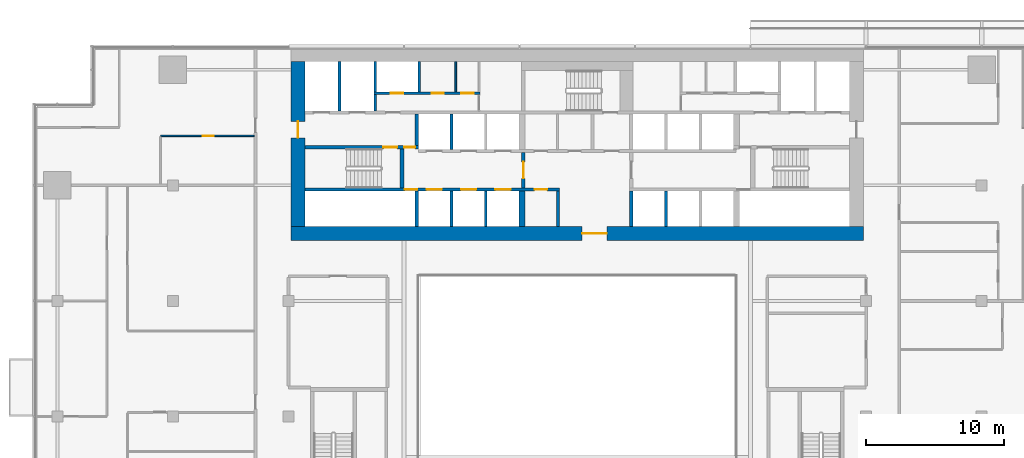
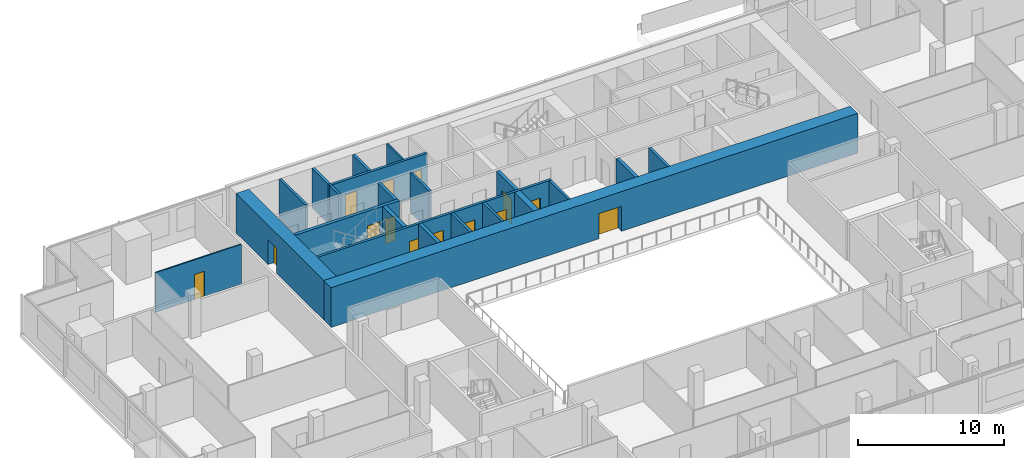
# One storey, part 20 of 29: 22 walls, 14 doors, 14 openings.
"""IFC4 building model written with IfcOpenShell, lengths in metres."""

from ifc_helpers import new_model, si_unit, direction, frame, frame_2d, origin, place, context, subcontext, project, spatial, rectangle, extrude, material, layer, layer_set, type_object, element, fill, save


model = new_model("IFC4")

# Units and contexts
model_context = context("Model", 3, precision=1e-05, world=origin(), true_north=direction((0.0, 1.0)))
body_context = subcontext(model_context, "Body", "Model", "MODEL_VIEW")
ifc_project = project(units=[si_unit("LENGTHUNIT", "METRE"), si_unit("AREAUNIT", "SQUARE_METRE"), si_unit("VOLUMEUNIT", "CUBIC_METRE"), si_unit("PLANEANGLEUNIT", "RADIAN"), si_unit("MASSUNIT", "GRAM", prefix="KILO")], contexts=[model_context])

# Site, building, storey
site_placement = place(None, origin())
site = spatial("IfcSite", under=ifc_project, at=site_placement, CompositionType="ELEMENT")
building_placement = place(site_placement, origin())
building = spatial("IfcBuilding", under=site, at=building_placement, Name="Saffron Gate Tower", CompositionType="ELEMENT")
storey_placement = place(building_placement, frame((0.0, 0.0, 116.85009765625)))
storey = spatial("IfcBuildingStorey", under=building, at=storey_placement, Name="L27", CompositionType="ELEMENT", Elevation=116.85009765625)

# Wall
ifc_material_1 = material(Name="Gypsum board partition on steel studs", Category="steel")
ifc_layer_1 = layer(ifc_material_1, 0.199951171875)
ifc_layer_set_1 = layer_set([ifc_layer_1], Name="CW10 Core partition 200")
wall_type_1 = type_object("IfcWallType", Name="CW10 Core partition 200", PredefinedType="PARTITIONING", material=ifc_layer_set_1)
wall_1_placement = place(storey_placement, frame((86.199951171875, 62.39990234375, 0.0), z_axis=(0.0, 0.0, 1.0), x_axis=(0.0, 1.0, 0.0)))
element("IfcWall", 1, at=wall_1_placement, inside=storey, type_object=wall_type_1, Name="Wall CW10-L27-9", PredefinedType="PARTITIONING", context=body_context, shape_type="SweptSolid", body=[
    extrude(rectangle(XDim=2.60009765625, YDim=0.199951171875, at=frame_2d((1.300048828125, 0.0))), origin(), (0.0, 0.0, 1.0), 3.31982421875),
])

# Wall, opening, door
ifc_material_2 = material(Name="Concrete C70", Category="concrete")
ifc_layer_2 = layer(ifc_material_2, 1.0)
ifc_layer_set_2 = layer_set([ifc_layer_2], Name="CW12 RC core wall 1000 C70")
wall_type_2 = type_object("IfcWallType", Name="CW12 RC core wall 1000 C70", PredefinedType="SOLIDWALL", material=ifc_layer_set_2)
wall_2_placement = place(storey_placement, frame((66.800048828125, 61.89990234375, 0.0), z_axis=(0.0, 0.0, 1.0), x_axis=(1.0, 0.0, 0.0)))
wall_2 = element("IfcWall", 2, at=wall_2_placement, inside=storey, type_object=wall_type_2, Name="Wall CW12-L27-1", PredefinedType="SOLIDWALL", context=body_context, shape_type="SweptSolid", body=[
    extrude(rectangle(XDim=41.599853515625, YDim=1.0, at=frame_2d((20.7998046875, 0.0))), origin(), (0.0, 0.0, 1.0), 3.31982421875),
])
opening_1_placement = place(wall_2_placement, frame((21.14990234375, 0.0, 0.0)))
opening_1 = element("IfcOpeningElement", 3, at=opening_1_placement, cuts=wall_2, Name="Opening CR-09", PredefinedType="OPENING", context=body_context, shape_type="SweptSolid", body=[
    extrude(rectangle(XDim=1.800048828125, YDim=2.10009765625, at=frame_2d((0.89990234375, 1.050048828125))), frame((0.0, 0.510009765625, 0.0), z_axis=(0.0, -1.0, 0.0), x_axis=(1.0, 0.0, 0.0)), (0.0, 0.0, 1.0), 1.02001953125),
])
ifc_material_3 = material(Name="Steel fire door set", Category="steel")
door_type_1 = type_object("IfcDoorType", Name="CD1 Core entrance door 1800x2100 EI 120", OperationType="NOTDEFINED", PredefinedType="DOOR", material=ifc_material_3)
door_1_placement = place(opening_1_placement, origin())
door_1 = element("IfcDoor", 4, at=door_1_placement, inside=storey, type_object=door_type_1, Name="DOOR CR-09", OperationType="DOUBLE_DOOR_SINGLE_SWING", OverallHeight=2.10009765625, OverallWidth=1.800048828125, PredefinedType="DOOR", context=body_context, shape_type="SweptSolid", body=[
    extrude(rectangle(XDim=1.800048828125, YDim=2.10009765625, at=frame_2d((0.89990234375, 1.050048828125))), frame((0.0, 0.02490234375, 0.0), z_axis=(0.0, -1.0, 0.0), x_axis=(1.0, 0.0, 0.0)), (0.0, 0.0, 1.0), 0.050048828125),
])
fill(opening_1, door_1)

wall_3_placement = place(storey_placement, frame((67.300048828125, 62.39990234375, 0.0), z_axis=(0.0, 0.0, 1.0), x_axis=(0.0, 1.0, 0.0)))
wall_3 = element("IfcWall", 5, at=wall_3_placement, inside=storey, type_object=wall_type_2, Name="Wall CW12-L27-3", PredefinedType="SOLIDWALL", context=body_context, shape_type="SweptSolid", body=[
    extrude(rectangle(XDim=12.0, YDim=1.0, at=frame_2d((6.0, 0.0))), origin(), (0.0, 0.0, 1.0), 3.31982421875),
])
opening_2_placement = place(wall_3_placement, frame((6.449951171875, 0.0, 0.0)))
opening_2 = element("IfcOpeningElement", 6, at=opening_2_placement, cuts=wall_3, Name="Opening CR-10", PredefinedType="OPENING", context=body_context, shape_type="SweptSolid", body=[
    extrude(rectangle(XDim=1.199951171875, YDim=2.10009765625, at=frame_2d((0.60009765625, 1.050048828125))), frame((0.0, 0.510009765625, 0.0), z_axis=(0.0, -1.0, 0.0), x_axis=(1.0, 0.0, 0.0)), (0.0, 0.0, 1.0), 1.02001953125),
])
door_type_2 = type_object("IfcDoorType", Name="CD7 Core entrance door 1200x2100 EI 120", OperationType="NOTDEFINED", PredefinedType="DOOR", material=ifc_material_3)
door_2_placement = place(opening_2_placement, origin())
door_2 = element("IfcDoor", 7, at=door_2_placement, inside=storey, type_object=door_type_2, Name="DOOR CR-10", OperationType="SINGLE_SWING_LEFT", OverallHeight=2.10009765625, OverallWidth=1.199951171875, PredefinedType="DOOR", context=body_context, shape_type="SweptSolid", body=[
    extrude(rectangle(XDim=1.199951171875, YDim=2.10009765625, at=frame_2d((0.60009765625, 1.050048828125))), frame((0.0, 0.02490234375, 0.0), z_axis=(0.0, -1.0, 0.0), x_axis=(1.0, 0.0, 0.0)), (0.0, 0.0, 1.0), 0.050048828125),
])
fill(opening_2, door_2)

# Walls
ifc_layer_3 = layer(ifc_material_2, 0.25)
ifc_layer_set_3 = layer_set([ifc_layer_3], Name="CW2 RC core wall 250 C70")
wall_type_3 = type_object("IfcWallType", Name="CW2 RC core wall 250 C70", PredefinedType="SOLIDWALL", material=ifc_layer_set_3)
for number, where, z_axis, x_axis, name in (
    (8, (75.925048828125, 62.39990234375, 0.0), (0.0, 0.0, 1.0), (0.0, 1.0, 0.0), "Wall CW2-L27-5"),
    (9, (91.52490234375, 62.39990234375, 0.0), (0.0, 0.0, 1.0), (0.0, 1.0, 0.0), "Wall CW2-L27-10"),
):
    element("IfcWall", number, at=place(storey_placement, frame(where, z_axis=z_axis, x_axis=x_axis)), inside=storey, type_object=wall_type_3, Name=name, PredefinedType="SOLIDWALL", context=body_context, shape_type="SweptSolid", body=[
        extrude(rectangle(XDim=2.60009765625, YDim=0.25, at=frame_2d((1.300048828125, 0.0))), origin(), (0.0, 0.0, 1.0), 3.31982421875),
    ])

# Wall, opening, door
wall_4_placement = place(storey_placement, frame((83.675048828125, 65.199951171875, 0.0), z_axis=(0.0, 0.0, 1.0), x_axis=(0.0, 1.0, 0.0)))
wall_4 = element("IfcWall", 10, at=wall_4_placement, inside=storey, type_object=wall_type_3, Name="Wall CW2-L27-17", PredefinedType="SOLIDWALL", context=body_context, shape_type="SweptSolid", body=[
    extrude(rectangle(XDim=2.60009765625, YDim=0.25, at=frame_2d((1.300048828125, 0.0))), origin(), (0.0, 0.0, 1.0), 3.31982421875),
])
opening_3_placement = place(wall_4_placement, frame((0.699951171875, 0.0, 0.0)))
opening_3 = element("IfcOpeningElement", 11, at=opening_3_placement, cuts=wall_4, Name="Opening CR-07", PredefinedType="OPENING", context=body_context, shape_type="SweptSolid", body=[
    extrude(rectangle(XDim=1.199951171875, YDim=2.10009765625, at=frame_2d((0.60009765625, 1.050048828125))), frame((0.0, 0.135009765625, 0.0), z_axis=(0.0, -1.0, 0.0), x_axis=(1.0, 0.0, 0.0)), (0.0, 0.0, 1.0), 0.27001953125),
])
door_type_3 = type_object("IfcDoorType", Name="CD3 Lobby door 1200x2100 EI 120", OperationType="NOTDEFINED", PredefinedType="DOOR", material=ifc_material_3)
door_3_placement = place(opening_3_placement, origin())
door_3 = element("IfcDoor", 12, at=door_3_placement, inside=storey, type_object=door_type_3, Name="DOOR CR-07", OperationType="SINGLE_SWING_RIGHT", OverallHeight=2.10009765625, OverallWidth=1.199951171875, PredefinedType="DOOR", context=body_context, shape_type="SweptSolid", body=[
    extrude(rectangle(XDim=1.199951171875, YDim=2.10009765625, at=frame_2d((0.60009765625, 1.050048828125))), frame((0.0, 0.02490234375, 0.0), z_axis=(0.0, -1.0, 0.0), x_axis=(1.0, 0.0, 0.0)), (0.0, 0.0, 1.0), 0.050048828125),
])
fill(opening_3, door_3)

# Wall, openings, doors
wall_5_placement = place(storey_placement, frame((67.800048828125, 68.175048828125, 0.0), z_axis=(0.0, 0.0, 1.0), x_axis=(1.0, 0.0, 0.0)))
wall_5 = element("IfcWall", 13, at=wall_5_placement, inside=storey, type_object=wall_type_3, Name="Wall CW2-L27-30", PredefinedType="SOLIDWALL", context=body_context, shape_type="SweptSolid", body=[
    extrude(rectangle(XDim=8.25, YDim=0.25, at=frame_2d((4.125, 0.0))), origin(), (0.0, 0.0, 1.0), 3.31982421875),
])
opening_4_placement = place(wall_5_placement, frame((5.699951171875, 0.0, 0.0)))
opening_4 = element("IfcOpeningElement", 14, at=opening_4_placement, cuts=wall_5, Name="Opening CR-15", PredefinedType="OPENING", context=body_context, shape_type="SweptSolid", body=[
    extrude(rectangle(XDim=1.0, YDim=2.10009765625, at=frame_2d((0.5, 1.050048828125))), frame((0.0, 0.135009765625, 0.0), z_axis=(0.0, -1.0, 0.0), x_axis=(1.0, 0.0, 0.0)), (0.0, 0.0, 1.0), 0.27001953125),
])
opening_5_placement = place(wall_5_placement, frame((7.199951171875, 0.0, 0.0)))
opening_5 = element("IfcOpeningElement", 15, at=opening_5_placement, cuts=wall_5, Name="Opening CR-06", PredefinedType="OPENING", context=body_context, shape_type="SweptSolid", body=[
    extrude(rectangle(XDim=0.800048828125, YDim=2.10009765625, at=frame_2d((0.39990234375, 1.050048828125))), frame((0.0, 0.135009765625, 0.0), z_axis=(0.0, -1.0, 0.0), x_axis=(1.0, 0.0, 0.0)), (0.0, 0.0, 1.0), 0.27001953125),
])
door_type_4 = type_object("IfcDoorType", Name="CD5 Stair door 1000x2100 EI 120", OperationType="NOTDEFINED", PredefinedType="DOOR", material=ifc_material_3)
door_4_placement = place(opening_4_placement, origin())
door_4 = element("IfcDoor", 16, at=door_4_placement, inside=storey, type_object=door_type_4, Name="DOOR CR-15", OperationType="SINGLE_SWING_RIGHT", OverallHeight=2.10009765625, OverallWidth=1.0, PredefinedType="DOOR", context=body_context, shape_type="SweptSolid", body=[
    extrude(rectangle(XDim=1.0, YDim=2.10009765625, at=frame_2d((0.5, 1.050048828125))), frame((0.0, 0.02490234375, 0.0), z_axis=(0.0, -1.0, 0.0), x_axis=(1.0, 0.0, 0.0)), (0.0, 0.0, 1.0), 0.050048828125),
])
fill(opening_4, door_4)
door_type_5 = type_object("IfcDoorType", Name="CD6 Lobby door 800x2100 EI 120", OperationType="NOTDEFINED", PredefinedType="DOOR", material=ifc_material_3)
door_5_placement = place(opening_5_placement, origin())
door_5 = element("IfcDoor", 17, at=door_5_placement, inside=storey, type_object=door_type_5, Name="DOOR CR-06", OperationType="SINGLE_SWING_LEFT", OverallHeight=2.10009765625, OverallWidth=0.800048828125, PredefinedType="DOOR", context=body_context, shape_type="SweptSolid", body=[
    extrude(rectangle(XDim=0.800048828125, YDim=2.10009765625, at=frame_2d((0.39990234375, 1.050048828125))), frame((0.0, 0.02490234375, 0.0), z_axis=(0.0, -1.0, 0.0), x_axis=(1.0, 0.0, 0.0)), (0.0, 0.0, 1.0), 0.050048828125),
])
fill(opening_5, door_5)

# Walls
wall_6_placement = place(storey_placement, frame((75.925048828125, 68.300048828125, 0.0), z_axis=(0.0, 0.0, 1.0), x_axis=(0.0, 1.0, 0.0)))
element("IfcWall", 18, at=wall_6_placement, inside=storey, type_object=wall_type_3, Name="Wall CW2-L27-32", PredefinedType="SOLIDWALL", context=body_context, shape_type="SweptSolid", body=[
    extrude(rectangle(XDim=2.300048828125, YDim=0.25, at=frame_2d((1.14990234375, 0.0))), origin(), (0.0, 0.0, 1.0), 3.31982421875),
])
ifc_layer_4 = layer(ifc_material_2, 0.199951171875)
ifc_layer_set_4 = layer_set([ifc_layer_4], Name="CW3 RC core wall 200 C70")
wall_type_4 = type_object("IfcWallType", Name="CW3 RC core wall 200 C70", PredefinedType="SOLIDWALL", material=ifc_layer_set_4)
for number, where, z_axis, x_axis, name in (
    (19, (78.449951171875, 62.39990234375, 0.0), (0.0, 0.0, 1.0), (0.0, 1.0, 0.0), "Wall CW3-L27-6"),
    (20, (80.949951171875, 62.39990234375, 0.0), (0.0, 0.0, 1.0), (0.0, 1.0, 0.0), "Wall CW3-L27-7"),
    (21, (94.050048828125, 62.39990234375, 0.0), (0.0, 0.0, 1.0), (0.0, 1.0, 0.0), "Wall CW3-L27-11"),
):
    element("IfcWall", number, at=place(storey_placement, frame(where, z_axis=z_axis, x_axis=x_axis)), inside=storey, type_object=wall_type_4, Name=name, PredefinedType="SOLIDWALL", context=body_context, shape_type="SweptSolid", body=[
        extrude(rectangle(XDim=2.60009765625, YDim=0.199951171875, at=frame_2d((1.300048828125, 0.0))), origin(), (0.0, 0.0, 1.0), 3.31982421875),
    ])

# Wall, openings, doors
wall_7_placement = place(storey_placement, frame((67.800048828125, 65.10009765625, 0.0), z_axis=(0.0, 0.0, 1.0), x_axis=(1.0, 0.0, 0.0)))
wall_7 = element("IfcWall", 22, at=wall_7_placement, inside=storey, type_object=wall_type_4, Name="Wall CW3-L27-14", PredefinedType="SOLIDWALL", context=body_context, shape_type="SweptSolid", body=[
    extrude(rectangle(XDim=18.5, YDim=0.199951171875, at=frame_2d((9.25, 0.0))), origin(), (0.0, 0.0, 1.0), 3.31982421875),
])
opening_6_placement = place(wall_7_placement, frame((7.27001953125, 0.0, 0.0)))
opening_6 = element("IfcOpeningElement", 23, at=opening_6_placement, cuts=wall_7, Name="Opening CR-49", PredefinedType="OPENING", context=body_context, shape_type="SweptSolid", body=[
    extrude(rectangle(XDim=0.89990234375, YDim=2.10009765625, at=frame_2d((0.449951171875, 1.050048828125))), frame((0.0, 0.10986328125, 0.0), z_axis=(0.0, -1.0, 0.0), x_axis=(1.0, 0.0, 0.0)), (0.0, 0.0, 1.0), 0.219970703125),
])
opening_7_placement = place(wall_7_placement, frame((8.85009765625, 0.0, 0.0)))
opening_7 = element("IfcOpeningElement", 24, at=opening_7_placement, cuts=wall_7, Name="Opening LD-LR1", PredefinedType="OPENING", context=body_context, shape_type="SweptSolid", body=[
    extrude(rectangle(XDim=1.10009765625, YDim=2.10009765625, at=frame_2d((0.550048828125, 1.050048828125))), frame((0.0, 0.10986328125, 0.0), z_axis=(0.0, -1.0, 0.0), x_axis=(1.0, 0.0, 0.0)), (0.0, 0.0, 1.0), 0.219970703125),
])
opening_8_placement = place(wall_7_placement, frame((11.35009765625, 0.0, 0.0)))
opening_8 = element("IfcOpeningElement", 25, at=opening_8_placement, cuts=wall_7, Name="Opening LD-LR2", PredefinedType="OPENING", context=body_context, shape_type="SweptSolid", body=[
    extrude(rectangle(XDim=1.10009765625, YDim=2.10009765625, at=frame_2d((0.550048828125, 1.050048828125))), frame((0.0, 0.10986328125, 0.0), z_axis=(0.0, -1.0, 0.0), x_axis=(1.0, 0.0, 0.0)), (0.0, 0.0, 1.0), 0.219970703125),
])
opening_9_placement = place(wall_7_placement, frame((13.85009765625, 0.0, 0.0)))
opening_9 = element("IfcOpeningElement", 26, at=opening_9_placement, cuts=wall_7, Name="Opening LD-LR3", PredefinedType="OPENING", context=body_context, shape_type="SweptSolid", body=[
    extrude(rectangle(XDim=1.10009765625, YDim=2.10009765625, at=frame_2d((0.550048828125, 1.050048828125))), frame((0.0, 0.10986328125, 0.0), z_axis=(0.0, -1.0, 0.0), x_axis=(1.0, 0.0, 0.0)), (0.0, 0.0, 1.0), 0.219970703125),
])
opening_10_placement = place(wall_7_placement, frame((16.699951171875, 0.0, 0.0)))
opening_10 = element("IfcOpeningElement", 27, at=opening_10_placement, cuts=wall_7, Name="Opening CR-69", PredefinedType="OPENING", context=body_context, shape_type="SweptSolid", body=[
    extrude(rectangle(XDim=0.89990234375, YDim=2.10009765625, at=frame_2d((0.449951171875, 1.050048828125))), frame((0.0, 0.10986328125, 0.0), z_axis=(0.0, -1.0, 0.0), x_axis=(1.0, 0.0, 0.0)), (0.0, 0.0, 1.0), 0.219970703125),
])
door_type_6 = type_object("IfcDoorType", Name="CD2 Riser door 900x2100 EI 60", OperationType="NOTDEFINED", PredefinedType="DOOR", material=ifc_material_3)
door_6_placement = place(opening_6_placement, origin())
door_6 = element("IfcDoor", 28, at=door_6_placement, inside=storey, type_object=door_type_6, Name="DOOR CR-49", OperationType="SINGLE_SWING_LEFT", OverallHeight=2.10009765625, OverallWidth=0.89990234375, PredefinedType="DOOR", context=body_context, shape_type="SweptSolid", body=[
    extrude(rectangle(XDim=0.89990234375, YDim=2.10009765625, at=frame_2d((0.449951171875, 1.050048828125))), frame((0.0, 0.02490234375, 0.0), z_axis=(0.0, -1.0, 0.0), x_axis=(1.0, 0.0, 0.0)), (0.0, 0.0, 1.0), 0.050048828125),
])
fill(opening_6, door_6)
door_type_7 = type_object("IfcDoorType", Name="CD9 Room door 900x2100 EI 60", OperationType="NOTDEFINED", PredefinedType="DOOR", material=ifc_material_3)
door_7_placement = place(opening_10_placement, origin())
door_7 = element("IfcDoor", 29, at=door_7_placement, inside=storey, type_object=door_type_7, Name="DOOR CR-69", OperationType="SINGLE_SWING_RIGHT", OverallHeight=2.10009765625, OverallWidth=0.89990234375, PredefinedType="DOOR", context=body_context, shape_type="SweptSolid", body=[
    extrude(rectangle(XDim=0.89990234375, YDim=2.10009765625, at=frame_2d((0.449951171875, 1.050048828125))), frame((0.0, 0.02490234375, 0.0), z_axis=(0.0, -1.0, 0.0), x_axis=(1.0, 0.0, 0.0)), (0.0, 0.0, 1.0), 0.050048828125),
])
fill(opening_10, door_7)
ifc_material_4 = material(Name="Stainless steel landing door", Category="steel")
door_type_8 = type_object("IfcDoorType", Name="LD Lift landing door 1100x2100 EI 120", OperationType="SLIDING_TO_LEFT", PredefinedType="DOOR", material=ifc_material_4)
door_8_placement = place(opening_7_placement, origin())
door_8 = element("IfcDoor", 30, at=door_8_placement, inside=storey, type_object=door_type_8, Name="LANDING DOOR LD-LR1", OperationType="SLIDING_TO_LEFT", OverallHeight=2.10009765625, OverallWidth=1.10009765625, PredefinedType="DOOR", context=body_context, shape_type="SweptSolid", body=[
    extrude(rectangle(XDim=1.10009765625, YDim=2.10009765625, at=frame_2d((0.550048828125, 1.050048828125))), frame((0.0, 0.02490234375, 0.0), z_axis=(0.0, -1.0, 0.0), x_axis=(1.0, 0.0, 0.0)), (0.0, 0.0, 1.0), 0.050048828125),
])
fill(opening_7, door_8)
door_9_placement = place(opening_8_placement, origin())
door_9 = element("IfcDoor", 31, at=door_9_placement, inside=storey, type_object=door_type_8, Name="LANDING DOOR LD-LR2", OperationType="SLIDING_TO_LEFT", OverallHeight=2.10009765625, OverallWidth=1.10009765625, PredefinedType="DOOR", context=body_context, shape_type="SweptSolid", body=[
    extrude(rectangle(XDim=1.10009765625, YDim=2.10009765625, at=frame_2d((0.550048828125, 1.050048828125))), frame((0.0, 0.02490234375, 0.0), z_axis=(0.0, -1.0, 0.0), x_axis=(1.0, 0.0, 0.0)), (0.0, 0.0, 1.0), 0.050048828125),
])
fill(opening_8, door_9)
door_10_placement = place(opening_9_placement, origin())
door_10 = element("IfcDoor", 32, at=door_10_placement, inside=storey, type_object=door_type_8, Name="LANDING DOOR LD-LR3", OperationType="SLIDING_TO_LEFT", OverallHeight=2.10009765625, OverallWidth=1.10009765625, PredefinedType="DOOR", context=body_context, shape_type="SweptSolid", body=[
    extrude(rectangle(XDim=1.10009765625, YDim=2.10009765625, at=frame_2d((0.550048828125, 1.050048828125))), frame((0.0, 0.02490234375, 0.0), z_axis=(0.0, -1.0, 0.0), x_axis=(1.0, 0.0, 0.0)), (0.0, 0.0, 1.0), 0.050048828125),
])
fill(opening_9, door_10)

# Walls
wall_8_placement = place(storey_placement, frame((78.449951171875, 68.0, 0.0), z_axis=(0.0, 0.0, 1.0), x_axis=(0.0, 1.0, 0.0)))
element("IfcWall", 33, at=wall_8_placement, inside=storey, type_object=wall_type_4, Name="Wall CW3-L27-21", PredefinedType="SOLIDWALL", context=body_context, shape_type="SweptSolid", body=[
    extrude(rectangle(XDim=2.60009765625, YDim=0.199951171875, at=frame_2d((1.300048828125, 0.0))), origin(), (0.0, 0.0, 1.0), 3.31982421875),
])
wall_9_placement = place(storey_placement, frame((70.300048828125, 70.800048828125, 0.0), z_axis=(0.0, 0.0, 1.0), x_axis=(0.0, 1.0, 0.0)))
element("IfcWall", 34, at=wall_9_placement, inside=storey, type_object=wall_type_4, Name="Wall CW3-L27-35", PredefinedType="SOLIDWALL", context=body_context, shape_type="SweptSolid", body=[
    extrude(rectangle(XDim=3.599853515625, YDim=0.199951171875, at=frame_2d((1.7998046875, 0.0))), origin(), (0.0, 0.0, 1.0), 3.31982421875),
])
wall_10_placement = place(storey_placement, frame((72.89990234375, 70.800048828125, 0.0), z_axis=(0.0, 0.0, 1.0), x_axis=(0.0, 1.0, 0.0)))
element("IfcWall", 35, at=wall_10_placement, inside=storey, type_object=wall_type_4, Name="Wall CW3-L27-36", PredefinedType="SOLIDWALL", context=body_context, shape_type="SweptSolid", body=[
    extrude(rectangle(XDim=1.199951171875, YDim=0.199951171875, at=frame_2d((0.60009765625, 0.0))), origin(), (0.0, 0.0, 1.0), 3.31982421875),
])

# Wall, openings, doors
wall_11_placement = place(storey_placement, frame((72.800048828125, 72.10009765625, 0.0), z_axis=(0.0, 0.0, 1.0), x_axis=(1.0, 0.0, 0.0)))
wall_11 = element("IfcWall", 36, at=wall_11_placement, inside=storey, type_object=wall_type_4, Name="Wall CW3-L27-43", PredefinedType="SOLIDWALL", context=body_context, shape_type="SweptSolid", body=[
    extrude(rectangle(XDim=7.719970703125, YDim=0.199951171875, at=frame_2d((3.85986328125, 0.0))), origin(), (0.0, 0.0, 1.0), 3.31982421875),
])
opening_11_placement = place(wall_11_placement, frame((1.25, 0.0, 0.0)))
opening_11 = element("IfcOpeningElement", 37, at=opening_11_placement, cuts=wall_11, Name="Opening CR-71", PredefinedType="OPENING", context=body_context, shape_type="SweptSolid", body=[
    extrude(rectangle(XDim=0.89990234375, YDim=2.10009765625, at=frame_2d((0.449951171875, 1.050048828125))), frame((0.0, 0.10986328125, 0.0), z_axis=(0.0, -1.0, 0.0), x_axis=(1.0, 0.0, 0.0)), (0.0, 0.0, 1.0), 0.219970703125),
])
opening_12_placement = place(wall_11_placement, frame((4.199951171875, 0.0, 0.0)))
opening_12 = element("IfcOpeningElement", 38, at=opening_12_placement, cuts=wall_11, Name="Opening CR-55", PredefinedType="OPENING", context=body_context, shape_type="SweptSolid", body=[
    extrude(rectangle(XDim=0.89990234375, YDim=2.10009765625, at=frame_2d((0.449951171875, 1.050048828125))), frame((0.0, 0.10986328125, 0.0), z_axis=(0.0, -1.0, 0.0), x_axis=(1.0, 0.0, 0.0)), (0.0, 0.0, 1.0), 0.219970703125),
])
opening_13_placement = place(wall_11_placement, frame((6.360107421875, 0.0, 0.0)))
opening_13 = element("IfcOpeningElement", 39, at=opening_13_placement, cuts=wall_11, Name="Opening CR-58", PredefinedType="OPENING", context=body_context, shape_type="SweptSolid", body=[
    extrude(rectangle(XDim=0.89990234375, YDim=2.10009765625, at=frame_2d((0.449951171875, 1.050048828125))), frame((0.0, 0.10986328125, 0.0), z_axis=(0.0, -1.0, 0.0), x_axis=(1.0, 0.0, 0.0)), (0.0, 0.0, 1.0), 0.219970703125),
])
door_11_placement = place(opening_11_placement, origin())
door_11 = element("IfcDoor", 40, at=door_11_placement, inside=storey, type_object=door_type_6, Name="DOOR CR-71", OperationType="SINGLE_SWING_LEFT", OverallHeight=2.10009765625, OverallWidth=0.89990234375, PredefinedType="DOOR", context=body_context, shape_type="SweptSolid", body=[
    extrude(rectangle(XDim=0.89990234375, YDim=2.10009765625, at=frame_2d((0.449951171875, 1.050048828125))), frame((0.0, 0.02490234375, 0.0), z_axis=(0.0, -1.0, 0.0), x_axis=(1.0, 0.0, 0.0)), (0.0, 0.0, 1.0), 0.050048828125),
])
fill(opening_11, door_11)
door_12_placement = place(opening_12_placement, origin())
door_12 = element("IfcDoor", 41, at=door_12_placement, inside=storey, type_object=door_type_7, Name="DOOR CR-55", OperationType="SINGLE_SWING_LEFT", OverallHeight=2.10009765625, OverallWidth=0.89990234375, PredefinedType="DOOR", context=body_context, shape_type="SweptSolid", body=[
    extrude(rectangle(XDim=0.89990234375, YDim=2.10009765625, at=frame_2d((0.449951171875, 1.050048828125))), frame((0.0, 0.02490234375, 0.0), z_axis=(0.0, -1.0, 0.0), x_axis=(1.0, 0.0, 0.0)), (0.0, 0.0, 1.0), 0.050048828125),
])
fill(opening_12, door_12)
door_13_placement = place(opening_13_placement, origin())
door_13 = element("IfcDoor", 42, at=door_13_placement, inside=storey, type_object=door_type_7, Name="DOOR CR-58", OperationType="SINGLE_SWING_LEFT", OverallHeight=2.10009765625, OverallWidth=0.89990234375, PredefinedType="DOOR", context=body_context, shape_type="SweptSolid", body=[
    extrude(rectangle(XDim=0.89990234375, YDim=2.10009765625, at=frame_2d((0.449951171875, 1.050048828125))), frame((0.0, 0.02490234375, 0.0), z_axis=(0.0, -1.0, 0.0), x_axis=(1.0, 0.0, 0.0)), (0.0, 0.0, 1.0), 0.050048828125),
])
fill(opening_13, door_13)

# Walls
for number, where, z_axis, x_axis, name in (
    (43, (72.89990234375, 72.199951171875, 0.0), (0.0, 0.0, 1.0), (0.0, 1.0, 0.0), "Wall CW3-L27-45"),
    (44, (76.10009765625, 72.199951171875, 0.0), (0.0, 0.0, 1.0), (0.0, 1.0, 0.0), "Wall CW3-L27-46"),
):
    element("IfcWall", number, at=place(storey_placement, frame(where, z_axis=z_axis, x_axis=x_axis)), inside=storey, type_object=wall_type_4, Name=name, PredefinedType="SOLIDWALL", context=body_context, shape_type="SweptSolid", body=[
        extrude(rectangle(XDim=2.199951171875, YDim=0.199951171875, at=frame_2d((1.10009765625, 0.0))), origin(), (0.0, 0.0, 1.0), 3.31982421875),
    ])
ifc_layer_5 = layer(ifc_material_2, 0.449951171875)
ifc_layer_set_5 = layer_set([ifc_layer_5], Name="CW4 RC core wall 450 C70")
wall_type_5 = type_object("IfcWallType", Name="CW4 RC core wall 450 C70", PredefinedType="SOLIDWALL", material=ifc_layer_set_5)
wall_12_placement = place(storey_placement, frame((83.574951171875, 62.39990234375, 0.0), z_axis=(0.0, 0.0, 1.0), x_axis=(0.0, 1.0, 0.0)))
element("IfcWall", 45, at=wall_12_placement, inside=storey, type_object=wall_type_5, Name="Wall CW4-L27-8", PredefinedType="SOLIDWALL", context=body_context, shape_type="SweptSolid", body=[
    extrude(rectangle(XDim=2.60009765625, YDim=0.449951171875, at=frame_2d((1.300048828125, 0.0))), origin(), (0.0, 0.0, 1.0), 3.31982421875),
])
ifc_layer_6 = layer(ifc_material_2, 0.300048828125)
ifc_layer_set_6 = layer_set([ifc_layer_6], Name="CW5 RC core wall 300 C70")
wall_type_6 = type_object("IfcWallType", Name="CW5 RC core wall 300 C70", PredefinedType="SOLIDWALL", material=ifc_layer_set_6)
wall_13_placement = place(storey_placement, frame((74.85009765625, 65.199951171875, 0.0), z_axis=(0.0, 0.0, 1.0), x_axis=(0.0, 1.0, 0.0)))
element("IfcWall", 46, at=wall_13_placement, inside=storey, type_object=wall_type_6, Name="Wall CW5-L27-16", PredefinedType="SOLIDWALL", context=body_context, shape_type="SweptSolid", body=[
    extrude(rectangle(XDim=2.85009765625, YDim=0.300048828125, at=frame_2d((1.425048828125, 0.0))), origin(), (0.0, 0.0, 1.0), 3.31982421875),
])
ifc_layer_7 = layer(ifc_material_1, 0.1201171875)
ifc_layer_set_7 = layer_set([ifc_layer_7], Name="CW8 Core partition 120")
wall_type_7 = type_object("IfcWallType", Name="CW8 Core partition 120", PredefinedType="PARTITIONING", material=ifc_layer_set_7)
wall_14_placement = place(storey_placement, frame((78.760009765625, 72.199951171875, 0.0), z_axis=(0.0, 0.0, 1.0), x_axis=(0.0, 1.0, 0.0)))
element("IfcWall", 47, at=wall_14_placement, inside=storey, type_object=wall_type_7, Name="Wall CW8-L27-47", PredefinedType="PARTITIONING", context=body_context, shape_type="SweptSolid", body=[
    extrude(rectangle(XDim=2.199951171875, YDim=0.1201171875, at=frame_2d((1.10009765625, 0.0))), origin(), (0.0, 0.0, 1.0), 3.31982421875),
])

# Wall, opening, door
ifc_material_5 = material(Name="Plasterboard on steel studs", Category="steel")
ifc_layer_8 = layer(ifc_material_5, 0.10009765625)
ifc_layer_set_8 = layer_set([ifc_layer_8], Name="PW1 Partition 100")
wall_type_8 = type_object("IfcWallType", Name="PW1 Partition 100", PredefinedType="PARTITIONING", material=ifc_layer_set_8)
wall_15_placement = place(storey_placement, frame((64.10009765625, 69.0, 0.0), z_axis=(0.0, 0.0, 1.0), x_axis=(-1.0, 0.0, 0.0)))
wall_15 = element("IfcWall", 48, at=wall_15_placement, inside=storey, type_object=wall_type_8, Name="Partition B3-43", PredefinedType="PARTITIONING", context=body_context, shape_type="SweptSolid", body=[
    extrude(rectangle(XDim=6.800048828125, YDim=0.10009765625, at=frame_2d((3.39990234375, 0.0))), origin(), (0.0, 0.0, 1.0), 3.31982421875),
])
opening_14_placement = place(wall_15_placement, frame((2.949951171875, 0.0, 0.0)))
opening_14 = element("IfcOpeningElement", 49, at=opening_14_placement, cuts=wall_15, Name="Opening B3-40", PredefinedType="OPENING", context=body_context, shape_type="SweptSolid", body=[
    extrude(rectangle(XDim=0.800048828125, YDim=2.10009765625, at=frame_2d((0.39990234375, 1.050048828125))), frame((0.0, 0.06005859375, 0.0), z_axis=(0.0, -1.0, 0.0), x_axis=(1.0, 0.0, 0.0)), (0.0, 0.0, 1.0), 0.1201171875),
])
ifc_material_6 = material(Name="Timber door set", Category="wood")
door_type_9 = type_object("IfcDoorType", Name="RD2 Bathroom door 800x2100", OperationType="NOTDEFINED", PredefinedType="DOOR", material=ifc_material_6)
door_14_placement = place(opening_14_placement, origin())
door_14 = element("IfcDoor", 50, at=door_14_placement, inside=storey, type_object=door_type_9, Name="Door B3-40", OperationType="SINGLE_SWING_LEFT", OverallHeight=2.10009765625, OverallWidth=0.800048828125, PredefinedType="DOOR", context=body_context, shape_type="SweptSolid", body=[
    extrude(rectangle(XDim=0.800048828125, YDim=2.10009765625, at=frame_2d((0.39990234375, 1.050048828125))), frame((0.0, 0.02490234375, 0.0), z_axis=(0.0, -1.0, 0.0), x_axis=(1.0, 0.0, 0.0)), (0.0, 0.0, 1.0), 0.050048828125),
])
fill(opening_14, door_14)

save(model, "model.ifc")
